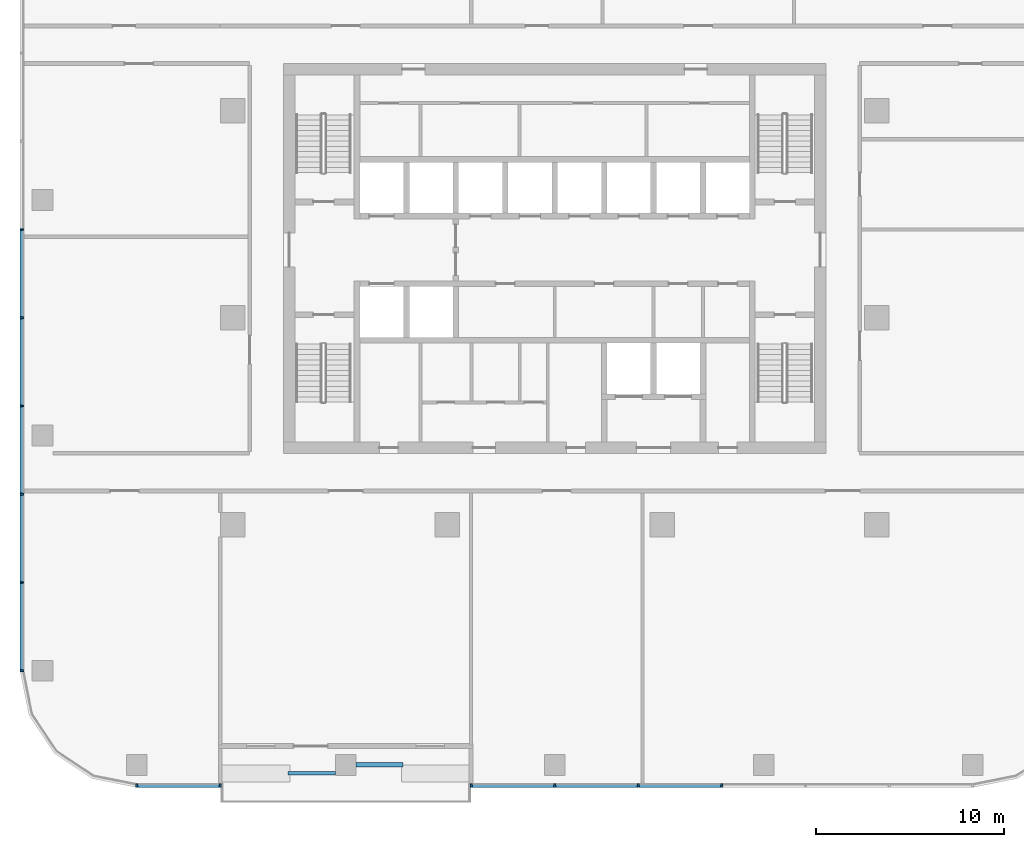
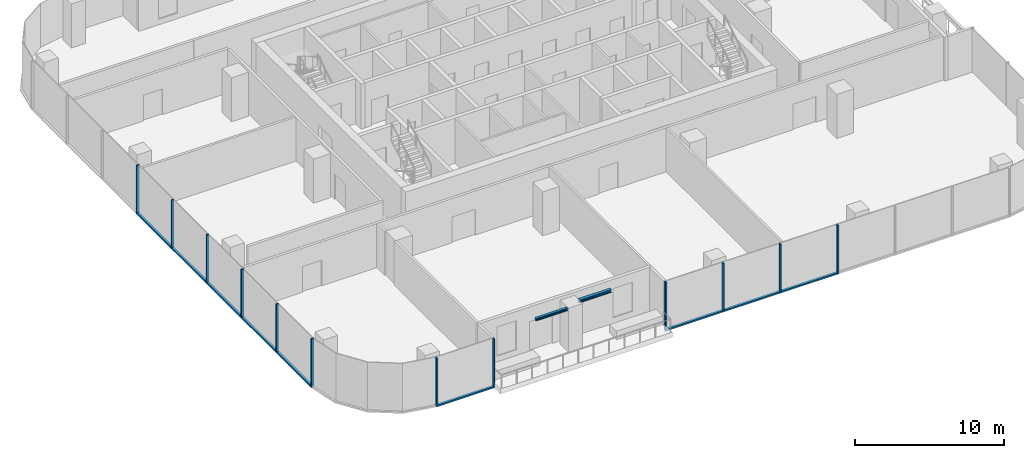
# One storey, part 2 of 14: 21 members, 2 beams, 3 elements without a shape of their own.
"""IFC4 building model written with IfcOpenShell, lengths in metres."""

from ifc_helpers import new_model, si_unit, direction, frame, origin, origin_2d, place, context, subcontext, project, spatial, rectangle, i_section, extrude, material, material_profile, profile_set, type_object, element, aggregate, save


model = new_model("IFC4")

# Units and contexts
model_context = context("Model", 3, precision=1e-05, world=origin(), true_north=direction((0.0, 1.0)))
body_context = subcontext(model_context, "Body", "Model", "MODEL_VIEW")
ifc_project = project(units=[si_unit("LENGTHUNIT", "METRE"), si_unit("AREAUNIT", "SQUARE_METRE"), si_unit("VOLUMEUNIT", "CUBIC_METRE"), si_unit("PLANEANGLEUNIT", "RADIAN"), si_unit("MASSUNIT", "GRAM", prefix="KILO")], contexts=[model_context])

# Site, building, storey
site_placement = place(None, origin())
site = spatial("IfcSite", under=ifc_project, at=site_placement, CompositionType="ELEMENT")
building_placement = place(site_placement, origin())
building = spatial("IfcBuilding", under=site, at=building_placement, Name="Mopane Tessera Tower", CompositionType="ELEMENT")
storey_placement = place(building_placement, frame((0.0, 0.0, 215.0)))
storey = spatial("IfcBuildingStorey", under=building, at=storey_placement, Name="L45", CompositionType="ELEMENT", Elevation=215.0)

# Curtain wall, members
ifc_material_1 = material(Name="Aluminium frame", Category="aluminium")
curtain_wall_type = type_object("IfcCurtainWallType", Name="Unitised curtain wall", PredefinedType="NOTDEFINED", material=ifc_material_1)
curtain_wall_1_placement = place(storey_placement, origin())
curtain_wall_1 = element("IfcCurtainWall", 1, at=curtain_wall_1_placement, inside=storey, type_object=curtain_wall_type, Name="e:cw:L45:S:0", PredefinedType="NOTDEFINED")
ifc_material_2 = material(Name="Aluminium frame", Category="aluminium")
ifc_material_profile_1 = material_profile(ifc_material_2, rectangle(XDim=0.10009765625, YDim=0.199951171875, at=origin_2d()))
ifc_profile_set_1 = profile_set([ifc_material_profile_1], Name="Aluminium frame")
member_type_1 = type_object("IfcMemberType", Name="Aluminium mullion 100 x 200", PredefinedType="MULLION", material=ifc_profile_set_1)
member_1_placement = place(storey_placement, frame((-22.199951171875, -24.85009765625, -0.39990234375), z_axis=(0.0, 0.0, 1.0), x_axis=(1.0, 0.0, 0.0)))
member_1 = element("IfcMember", 2, at=member_1_placement, type_object=member_type_1, Name="e:cw:L45:S:0:mu0", PredefinedType="MULLION", context=body_context, shape_type="SweptSolid", body=[
    extrude(rectangle(XDim=0.10009765625, YDim=0.199951171875, at=origin_2d()), origin(), (0.0, 0.0, 1.0), 4.0),
])
member_2_placement = place(storey_placement, frame((-17.760009765625, -24.85009765625, -0.39990234375), z_axis=(0.0, 0.0, 1.0), x_axis=(1.0, 0.0, 0.0)))
member_2 = element("IfcMember", 3, at=member_2_placement, type_object=member_type_1, Name="e:cw:L45:S:0:mu1", PredefinedType="MULLION", context=body_context, shape_type="SweptSolid", body=[
    extrude(rectangle(XDim=0.10009765625, YDim=0.199951171875, at=origin_2d()), origin(), (0.0, 0.0, 1.0), 4.0),
])

curtain_wall_2_placement = place(storey_placement, origin())
curtain_wall_2 = element("IfcCurtainWall", 4, at=curtain_wall_2_placement, inside=storey, type_object=curtain_wall_type, Name="e:cw:L45:S:4", PredefinedType="NOTDEFINED")
member_3_placement = place(storey_placement, frame((-4.43994140625, -24.85009765625, -0.39990234375), z_axis=(0.0, 0.0, 1.0), x_axis=(1.0, 0.0, 0.0)))
member_3 = element("IfcMember", 5, at=member_3_placement, type_object=member_type_1, Name="e:cw:L45:S:4:mu4", PredefinedType="MULLION", context=body_context, shape_type="SweptSolid", body=[
    extrude(rectangle(XDim=0.10009765625, YDim=0.199951171875, at=origin_2d()), origin(), (0.0, 0.0, 1.0), 4.0),
])
member_4_placement = place(storey_placement, frame((0.0, -24.85009765625, -0.39990234375), z_axis=(0.0, 0.0, 1.0), x_axis=(1.0, 0.0, 0.0)))
member_4 = element("IfcMember", 6, at=member_4_placement, type_object=member_type_1, Name="e:cw:L45:S:4:mu5", PredefinedType="MULLION", context=body_context, shape_type="SweptSolid", body=[
    extrude(rectangle(XDim=0.10009765625, YDim=0.199951171875, at=origin_2d()), origin(), (0.0, 0.0, 1.0), 4.0),
])
member_5_placement = place(storey_placement, frame((4.43994140625, -24.85009765625, -0.39990234375), z_axis=(0.0, 0.0, 1.0), x_axis=(1.0, 0.0, 0.0)))
member_5 = element("IfcMember", 7, at=member_5_placement, type_object=member_type_1, Name="e:cw:L45:S:4:mu6", PredefinedType="MULLION", context=body_context, shape_type="SweptSolid", body=[
    extrude(rectangle(XDim=0.10009765625, YDim=0.199951171875, at=origin_2d()), origin(), (0.0, 0.0, 1.0), 4.0),
])
member_6_placement = place(storey_placement, frame((8.8798828125, -24.85009765625, -0.39990234375), z_axis=(0.0, 0.0, 1.0), x_axis=(1.0, 0.0, 0.0)))
member_6 = element("IfcMember", 8, at=member_6_placement, type_object=member_type_1, Name="e:cw:L45:S:4:mu7", PredefinedType="MULLION", context=body_context, shape_type="SweptSolid", body=[
    extrude(rectangle(XDim=0.10009765625, YDim=0.199951171875, at=origin_2d()), origin(), (0.0, 0.0, 1.0), 4.0),
])

curtain_wall_3_placement = place(storey_placement, origin())
curtain_wall_3 = element("IfcCurtainWall", 9, at=curtain_wall_3_placement, inside=storey, type_object=curtain_wall_type, Name="e:cw:L45:W:0", PredefinedType="NOTDEFINED")
member_7_placement = place(storey_placement, frame((-28.300048828125, 4.6875, -0.39990234375), z_axis=(0.0, 0.0, 1.0), x_axis=(0.0, -1.0, 0.0)))
member_7 = element("IfcMember", 10, at=member_7_placement, type_object=member_type_1, Name="e:cw:L45:W:0:mu3", PredefinedType="MULLION", context=body_context, shape_type="SweptSolid", body=[
    extrude(rectangle(XDim=0.10009765625, YDim=0.199951171875, at=origin_2d()), origin(), (0.0, 0.0, 1.0), 4.0),
])
member_8_placement = place(storey_placement, frame((-28.300048828125, 0.0, -0.39990234375), z_axis=(0.0, 0.0, 1.0), x_axis=(0.0, -1.0, 0.0)))
member_8 = element("IfcMember", 11, at=member_8_placement, type_object=member_type_1, Name="e:cw:L45:W:0:mu4", PredefinedType="MULLION", context=body_context, shape_type="SweptSolid", body=[
    extrude(rectangle(XDim=0.10009765625, YDim=0.199951171875, at=origin_2d()), origin(), (0.0, 0.0, 1.0), 4.0),
])
member_9_placement = place(storey_placement, frame((-28.300048828125, -4.6875, -0.39990234375), z_axis=(0.0, 0.0, 1.0), x_axis=(0.0, -1.0, 0.0)))
member_9 = element("IfcMember", 12, at=member_9_placement, type_object=member_type_1, Name="e:cw:L45:W:0:mu5", PredefinedType="MULLION", context=body_context, shape_type="SweptSolid", body=[
    extrude(rectangle(XDim=0.10009765625, YDim=0.199951171875, at=origin_2d()), origin(), (0.0, 0.0, 1.0), 4.0),
])
member_10_placement = place(storey_placement, frame((-28.300048828125, -9.375, -0.39990234375), z_axis=(0.0, 0.0, 1.0), x_axis=(0.0, -1.0, 0.0)))
member_10 = element("IfcMember", 13, at=member_10_placement, type_object=member_type_1, Name="e:cw:L45:W:0:mu6", PredefinedType="MULLION", context=body_context, shape_type="SweptSolid", body=[
    extrude(rectangle(XDim=0.10009765625, YDim=0.199951171875, at=origin_2d()), origin(), (0.0, 0.0, 1.0), 4.0),
])
member_11_placement = place(storey_placement, frame((-28.300048828125, -14.0625, -0.39990234375), z_axis=(0.0, 0.0, 1.0), x_axis=(0.0, -1.0, 0.0)))
member_11 = element("IfcMember", 14, at=member_11_placement, type_object=member_type_1, Name="e:cw:L45:W:0:mu7", PredefinedType="MULLION", context=body_context, shape_type="SweptSolid", body=[
    extrude(rectangle(XDim=0.10009765625, YDim=0.199951171875, at=origin_2d()), origin(), (0.0, 0.0, 1.0), 4.0),
])
member_12_placement = place(storey_placement, frame((-28.300048828125, -18.75, -0.39990234375), z_axis=(0.0, 0.0, 1.0), x_axis=(0.0, -1.0, 0.0)))
member_12 = element("IfcMember", 15, at=member_12_placement, type_object=member_type_1, Name="e:cw:L45:W:0:mu8", PredefinedType="MULLION", context=body_context, shape_type="SweptSolid", body=[
    extrude(rectangle(XDim=0.10009765625, YDim=0.199951171875, at=origin_2d()), origin(), (0.0, 0.0, 1.0), 4.0),
])

# Member
ifc_material_3 = material(Name="Aluminium frame", Category="aluminium")
ifc_material_profile_2 = material_profile(ifc_material_3, rectangle(XDim=0.199951171875, YDim=0.1201171875, at=origin_2d()))
ifc_profile_set_2 = profile_set([ifc_material_profile_2], Name="Aluminium frame")
member_type_2 = type_object("IfcMemberType", Name="Aluminium transom 200 x 120", PredefinedType="USERDEFINED", material=ifc_profile_set_2)
member_13_placement = place(storey_placement, frame((-22.14990234375, -24.85009765625, -0.340087890625), z_axis=(1.0, 0.0, 0.0), x_axis=(0.0, 1.0, 0.0)))
member_13 = element("IfcMember", 16, at=member_13_placement, type_object=member_type_2, Name="e:cw:L45:S:0:tr0", ObjectType="TRANSOM", PredefinedType="USERDEFINED", context=body_context, shape_type="SweptSolid", body=[
    extrude(rectangle(XDim=0.199951171875, YDim=0.1201171875, at=origin_2d()), origin(), (0.0, 0.0, 1.0), 4.33984375),
])

aggregate(curtain_wall_1, [member_1, member_2, member_13])

member_14_placement = place(storey_placement, frame((-4.389892578125, -24.85009765625, -0.340087890625), z_axis=(1.0, 0.0, 0.0), x_axis=(0.0, 1.0, 0.0)))
member_14 = element("IfcMember", 17, at=member_14_placement, type_object=member_type_2, Name="e:cw:L45:S:4:tr4", ObjectType="TRANSOM", PredefinedType="USERDEFINED", context=body_context, shape_type="SweptSolid", body=[
    extrude(rectangle(XDim=0.199951171875, YDim=0.1201171875, at=origin_2d()), origin(), (0.0, 0.0, 1.0), 4.33984375),
])

member_15_placement = place(storey_placement, frame((0.050048828125, -24.85009765625, -0.340087890625), z_axis=(1.0, 0.0, 0.0), x_axis=(0.0, 1.0, 0.0)))
member_15 = element("IfcMember", 18, at=member_15_placement, type_object=member_type_2, Name="e:cw:L45:S:4:tr5", ObjectType="TRANSOM", PredefinedType="USERDEFINED", context=body_context, shape_type="SweptSolid", body=[
    extrude(rectangle(XDim=0.199951171875, YDim=0.1201171875, at=origin_2d()), origin(), (0.0, 0.0, 1.0), 4.33984375),
])

member_16_placement = place(storey_placement, frame((4.489990234375, -24.85009765625, -0.340087890625), z_axis=(1.0, 0.0, 0.0), x_axis=(0.0, 1.0, 0.0)))
member_16 = element("IfcMember", 19, at=member_16_placement, type_object=member_type_2, Name="e:cw:L45:S:4:tr6", ObjectType="TRANSOM", PredefinedType="USERDEFINED", context=body_context, shape_type="SweptSolid", body=[
    extrude(rectangle(XDim=0.199951171875, YDim=0.1201171875, at=origin_2d()), origin(), (0.0, 0.0, 1.0), 4.340087890625),
])

aggregate(curtain_wall_2, [member_3, member_4, member_5, member_6, member_14, member_15, member_16])

member_17_placement = place(storey_placement, frame((-28.300048828125, 4.637451171875, -0.340087890625), z_axis=(0.0, -1.0, 0.0), x_axis=(1.0, 0.0, 0.0)))
member_17 = element("IfcMember", 20, at=member_17_placement, type_object=member_type_2, Name="e:cw:L45:W:0:tr3", ObjectType="TRANSOM", PredefinedType="USERDEFINED", context=body_context, shape_type="SweptSolid", body=[
    extrude(rectangle(XDim=0.199951171875, YDim=0.1201171875, at=origin_2d()), origin(), (0.0, 0.0, 1.0), 4.58740234375),
])

member_18_placement = place(storey_placement, frame((-28.300048828125, -0.050048828125, -0.340087890625), z_axis=(0.0, -1.0, 0.0), x_axis=(1.0, 0.0, 0.0)))
member_18 = element("IfcMember", 21, at=member_18_placement, type_object=member_type_2, Name="e:cw:L45:W:0:tr4", ObjectType="TRANSOM", PredefinedType="USERDEFINED", context=body_context, shape_type="SweptSolid", body=[
    extrude(rectangle(XDim=0.199951171875, YDim=0.1201171875, at=origin_2d()), origin(), (0.0, 0.0, 1.0), 4.58740234375),
])

member_19_placement = place(storey_placement, frame((-28.300048828125, -4.737548828125, -0.340087890625), z_axis=(0.0, -1.0, 0.0), x_axis=(1.0, 0.0, 0.0)))
member_19 = element("IfcMember", 22, at=member_19_placement, type_object=member_type_2, Name="e:cw:L45:W:0:tr5", ObjectType="TRANSOM", PredefinedType="USERDEFINED", context=body_context, shape_type="SweptSolid", body=[
    extrude(rectangle(XDim=0.199951171875, YDim=0.1201171875, at=origin_2d()), origin(), (0.0, 0.0, 1.0), 4.58740234375),
])

member_20_placement = place(storey_placement, frame((-28.300048828125, -9.425048828125, -0.340087890625), z_axis=(0.0, -1.0, 0.0), x_axis=(1.0, 0.0, 0.0)))
member_20 = element("IfcMember", 23, at=member_20_placement, type_object=member_type_2, Name="e:cw:L45:W:0:tr6", ObjectType="TRANSOM", PredefinedType="USERDEFINED", context=body_context, shape_type="SweptSolid", body=[
    extrude(rectangle(XDim=0.199951171875, YDim=0.1201171875, at=origin_2d()), origin(), (0.0, 0.0, 1.0), 4.58740234375),
])

member_21_placement = place(storey_placement, frame((-28.300048828125, -14.112548828125, -0.340087890625), z_axis=(0.0, -1.0, 0.0), x_axis=(1.0, 0.0, 0.0)))
member_21 = element("IfcMember", 24, at=member_21_placement, type_object=member_type_2, Name="e:cw:L45:W:0:tr7", ObjectType="TRANSOM", PredefinedType="USERDEFINED", context=body_context, shape_type="SweptSolid", body=[
    extrude(rectangle(XDim=0.199951171875, YDim=0.1201171875, at=origin_2d()), origin(), (0.0, 0.0, 1.0), 4.58740234375),
])

aggregate(curtain_wall_3, [member_7, member_8, member_9, member_10, member_11, member_12, member_17, member_18, member_19, member_20, member_21])

# Beams
ifc_material_4 = material(Name="Structural steel S460", Category="steel")
ifc_material_profile_3 = material_profile(ifc_material_4, i_section(OverallWidth=0.239990234375, OverallDepth=0.239990234375, WebThickness=0.010009765625, FlangeThickness=0.01708984375, FilletRadius=0.02099609375, at=origin_2d()))
ifc_profile_set_3 = profile_set([ifc_material_profile_3], Name="Structural steel S460")
beam_type_1 = type_object("IfcBeamType", Name="Terrace spandrel beam HE 240 B", PredefinedType="SPANDREL", material=ifc_profile_set_3)
beam_1_placement = place(storey_placement, frame((-10.547119140625, -23.75, 3.47998046875), z_axis=(1.0, 0.0, 0.0), x_axis=(0.0, 1.0, 0.0)))
element("IfcBeam", 25, at=beam_1_placement, inside=storey, type_object=beam_type_1, Name="Terrace spandrel beam N1 L46", PredefinedType="SPANDREL", context=body_context, shape_type="SweptSolid", body=[
    extrude(i_section(OverallWidth=0.239990234375, OverallDepth=0.239990234375, WebThickness=0.010009765625, FlangeThickness=0.01708984375, FilletRadius=0.02099609375, at=origin_2d()), origin(), (0.0, 0.0, 1.0), 2.5),
])
ifc_material_5 = material(Name="Structural steel S460", Category="steel")
ifc_material_profile_4 = material_profile(ifc_material_5, i_section(OverallWidth=0.199951171875, OverallDepth=0.199951171875, WebThickness=0.009033203125, FlangeThickness=0.014892578125, FilletRadius=0.01806640625, at=origin_2d()))
ifc_profile_set_4 = profile_set([ifc_material_profile_4], Name="Structural steel S460")
beam_type_2 = type_object("IfcBeamType", Name="Terrace trimmer beam HE 200 B", PredefinedType="BEAM", material=ifc_profile_set_4)
beam_2_placement = place(storey_placement, frame((-11.653076171875, -24.18994140625, 3.5), z_axis=(-1.0, 0.0, 0.0), x_axis=(0.0, -1.0, 0.0)))
element("IfcBeam", 26, at=beam_2_placement, inside=storey, type_object=beam_type_2, Name="Terrace trimmer beam N1 L46", PredefinedType="BEAM", context=body_context, shape_type="SweptSolid", body=[
    extrude(i_section(OverallWidth=0.199951171875, OverallDepth=0.199951171875, WebThickness=0.009033203125, FlangeThickness=0.014892578125, FilletRadius=0.01806640625, at=origin_2d()), origin(), (0.0, 0.0, 1.0), 2.5),
])

save(model, "model.ifc")
